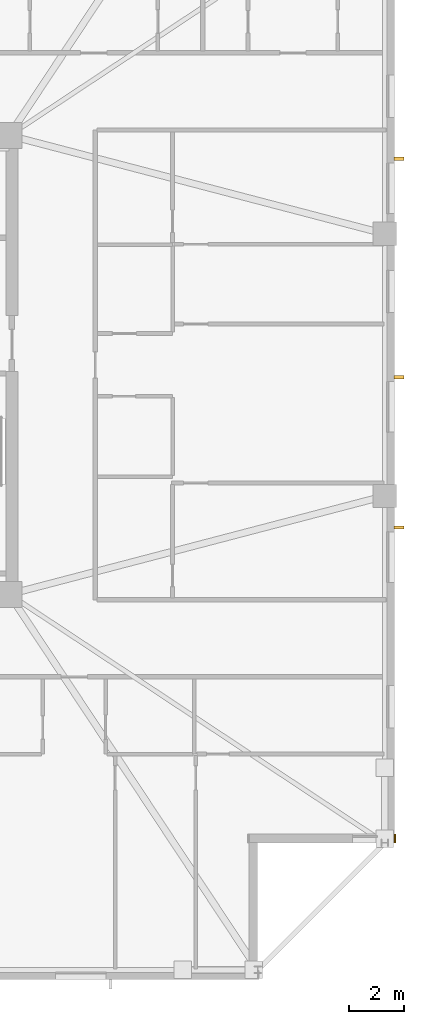
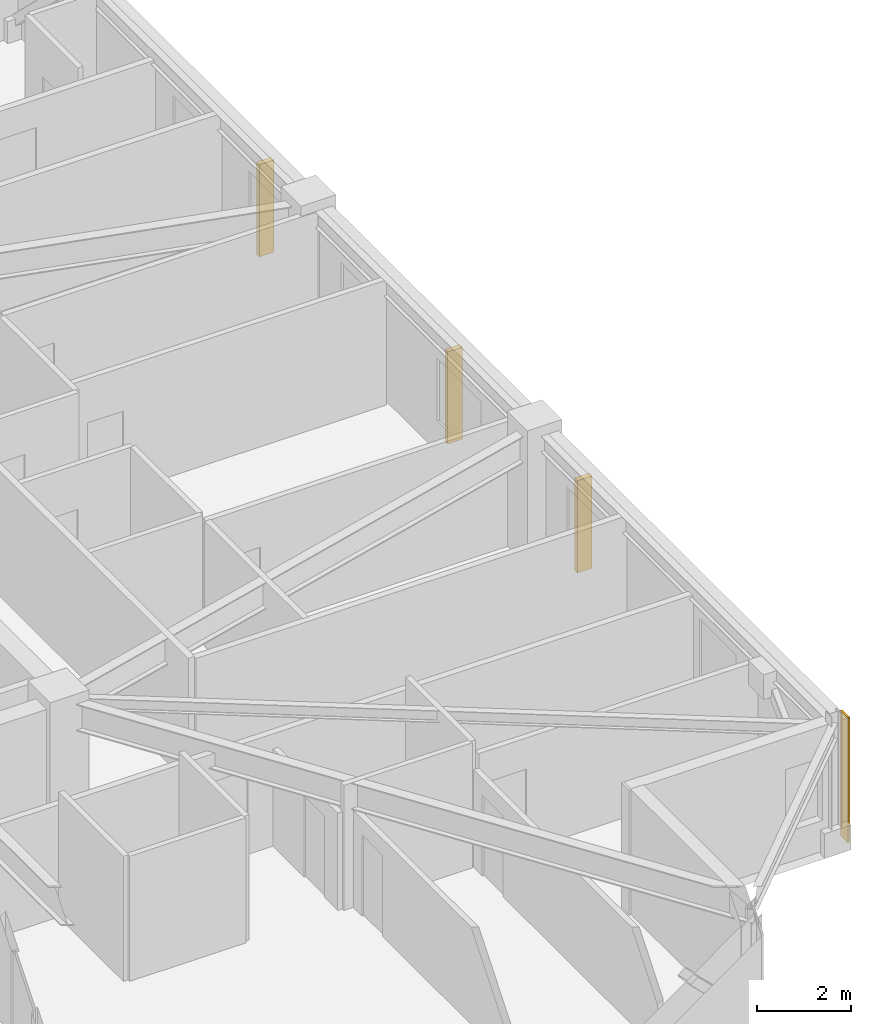
# One storey, part 15 of 17: 3 shading devices, 1 covering.
"""IFC4 building model written with IfcOpenShell, lengths in metres."""

from ifc_helpers import new_model, si_unit, direction, frame, frame_2d, origin, origin_2d, place, context, subcontext, project, spatial, rectangle, extrude, material, layer, layer_set, type_object, element, save


model = new_model("IFC4")

# Units and contexts
model_context = context("Model", 3, precision=1e-05, world=origin(), true_north=direction((0.0, 1.0)))
body_context = subcontext(model_context, "Body", "Model", "MODEL_VIEW")
ifc_project = project(units=[si_unit("LENGTHUNIT", "METRE"), si_unit("AREAUNIT", "SQUARE_METRE"), si_unit("VOLUMEUNIT", "CUBIC_METRE"), si_unit("PLANEANGLEUNIT", "RADIAN"), si_unit("MASSUNIT", "GRAM", prefix="KILO")], contexts=[model_context])

# Site, building, storey
site_placement = place(None, origin())
site = spatial("IfcSite", under=ifc_project, at=site_placement, CompositionType="ELEMENT")
building_placement = place(site_placement, origin())
building = spatial("IfcBuilding", under=site, at=building_placement, Name="Cairnveth Concourse Tower", CompositionType="ELEMENT")
storey_placement = place(building_placement, frame((0.0, 0.0, 272.5)))
storey = spatial("IfcBuildingStorey", under=building, at=storey_placement, Name="L75", CompositionType="ELEMENT", Elevation=272.5)

# Covering
ifc_material_1 = material(Name="Dressed Melbourne Bluestone Cladding", Category="masonry")
ifc_layer = layer(ifc_material_1, 0.050048828125)
ifc_layer_set = layer_set([ifc_layer], Name="Dressed Melbourne Bluestone Cladding")
covering_type = type_object("IfcCoveringType", Name="DRESSED BLUESTONE PLINTH CLADDING 50", PredefinedType="CLADDING", material=ifc_layer_set)
covering_placement = place(storey_placement, frame((74.52001953125, 21.820068359375, 0.0), z_axis=(0.0, 0.0, 1.0), x_axis=(0.0, -1.0, 0.0)))
element("IfcCovering", 1, at=covering_placement, inside=storey, type_object=covering_type, Name="Melbourne Bluestone Corner Quoin L75-1145", PredefinedType="CLADDING", context=body_context, shape_type="SweptSolid", body=[
    extrude(rectangle(XDim=0.320068359375, YDim=0.050048828125, at=frame_2d((0.16015625, 0.0))), origin(), (0.0, 0.0, 1.0), 3.239990234375),
])

# Shading devices
ifc_material_2 = material(Name="Architectural Bronze Anodised Aluminium 6063-T6", Category="aluminium")
shading_device_type = type_object("IfcShadingDeviceType", Name="GOTHIC BRONZE VERTICAL LANCET FIN", PredefinedType="USERDEFINED", material=ifc_material_2)
for number, where, z_axis, x_axis, name in (
    (2, (74.675048828125, 46.546875, 0.0302734375), (0.0, 0.0, 1.0), (0.0, 1.0, 0.0), "Gothic Bronze Vertical Fin L75-9-3"),
    (3, (74.675048828125, 38.54638671875, 0.0302734375), (0.0, 0.0, 1.0), (0.0, 1.0, 0.0), "Gothic Bronze Vertical Fin L75-9-5"),
    (4, (74.675048828125, 33.0458984375, 0.0302734375), (0.0, 0.0, 1.0), (0.0, 1.0, 0.0), "Gothic Bronze Vertical Fin L75-9-7"),
):
    element("IfcShadingDevice", number, at=place(storey_placement, frame(where, z_axis=z_axis, x_axis=x_axis)), inside=storey, type_object=shading_device_type, Name=name, ObjectType="VERTICAL FIN", PredefinedType="USERDEFINED", context=body_context, shape_type="SweptSolid", body=[
        extrude(rectangle(XDim=0.1201171875, YDim=0.360107421875, at=origin_2d()), origin(), (0.0, 0.0, 1.0), 2.387939453125),
    ])

save(model, "model.ifc")
